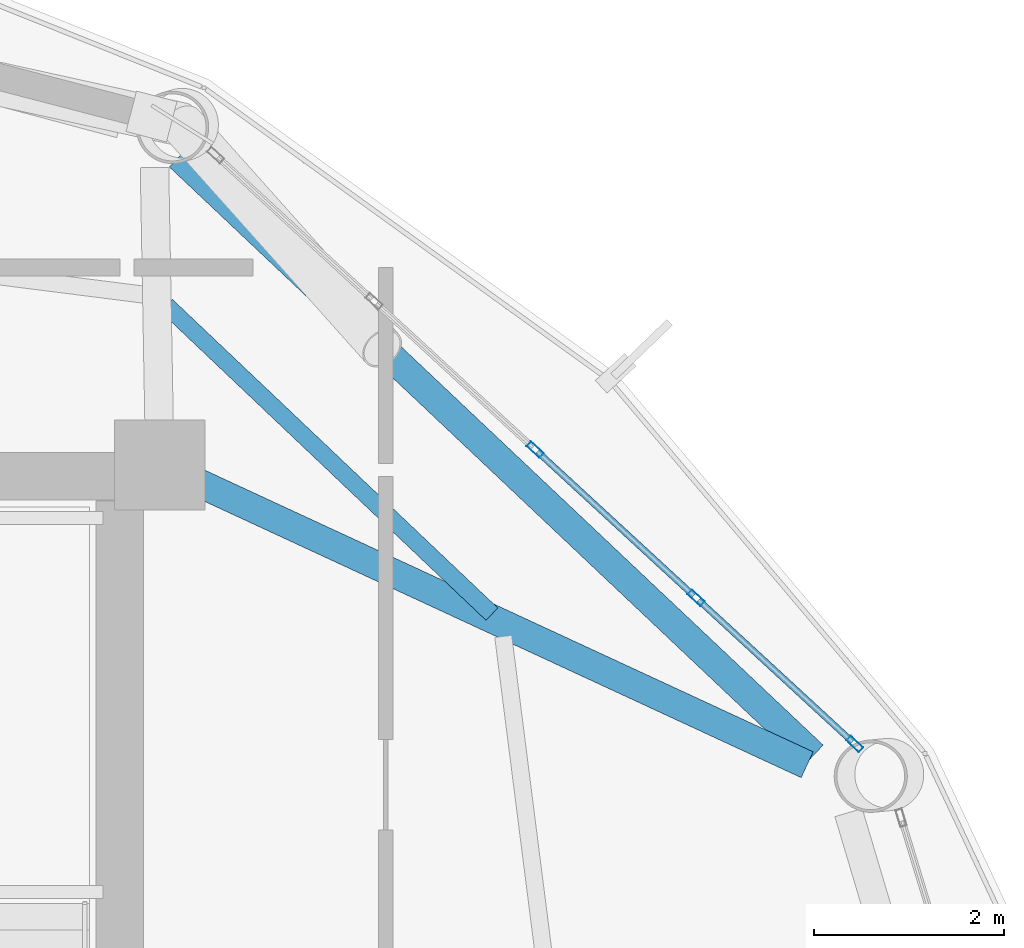
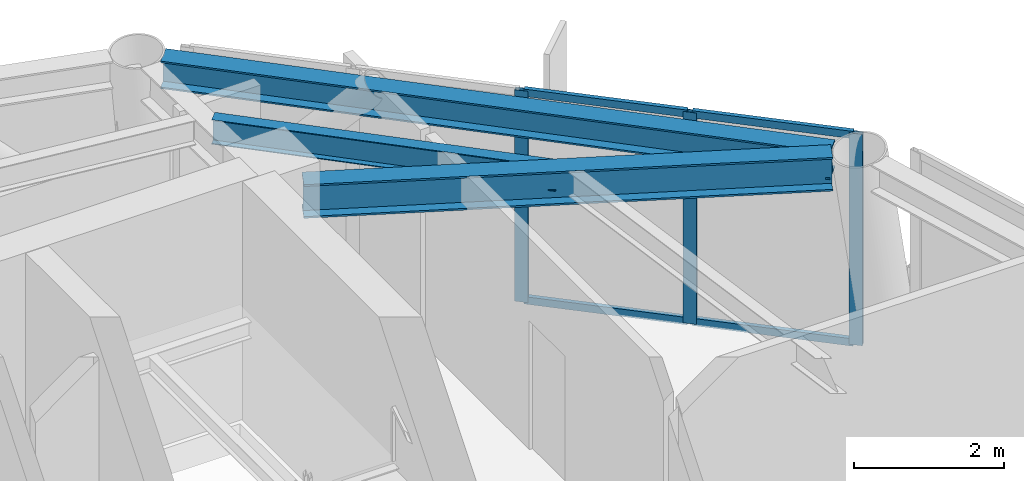
# One storey, part 17 of 26: 7 members, 3 beams, 1 element without a shape of its own.
"""IFC4 building model written with IfcOpenShell, lengths in metres."""

from ifc_helpers import new_model, si_unit, direction, frame, origin, origin_2d, place, context, subcontext, project, spatial, hollow_rectangle, i_section, extrude, material, layer, layer_set, material_profile, profile_set, type_object, element, aggregate, save


model = new_model("IFC4")

# Units and contexts
model_context = context("Model", 3, precision=1e-05, world=origin(), true_north=direction((0.0, 1.0)))
body_context = subcontext(model_context, "Body", "Model", "MODEL_VIEW")
ifc_project = project(units=[si_unit("LENGTHUNIT", "METRE"), si_unit("AREAUNIT", "SQUARE_METRE"), si_unit("VOLUMEUNIT", "CUBIC_METRE"), si_unit("PLANEANGLEUNIT", "RADIAN"), si_unit("MASSUNIT", "GRAM", prefix="KILO")], contexts=[model_context])

# Site, building, storey
site_placement = place(None, origin())
site = spatial("IfcSite", under=ifc_project, at=site_placement, CompositionType="ELEMENT")
building_placement = place(site_placement, origin())
building = spatial("IfcBuilding", under=site, at=building_placement, Name="Varnakorn Sky Granary", CompositionType="ELEMENT")
storey_placement = place(building_placement, frame((0.0, 0.0, 169.5)))
storey = spatial("IfcBuildingStorey", under=building, at=storey_placement, Name="L42", CompositionType="ELEMENT", Elevation=169.5)

# Beams
ifc_material_1 = material(Name="Steel S355JR", Category="steel")
ifc_material_profile_1 = material_profile(ifc_material_1, i_section(OverallWidth=0.300048828125, OverallDepth=0.550048828125, WebThickness=0.014892578125, FlangeThickness=0.029052734375, at=origin_2d()), Name="HE 550 B")
ifc_profile_set_1 = profile_set([ifc_material_profile_1], Name="Steel S355JR")
beam_type_1 = type_object("IfcBeamType", Name="BM-RAD-Z3", PredefinedType="BEAM", material=ifc_profile_set_1)
beam_1_placement = place(storey_placement, frame((8.801025390625, 12.443603515625, 3.175048828125), z_axis=(0.90743314809, -0.420196479931, 0.0), x_axis=(0.420196479931, 0.90743314809, 0.0)))
element("IfcBeam", 1, at=beam_1_placement, inside=storey, type_object=beam_type_1, Name="Radial Floor Girder RG02 L42", PredefinedType="BEAM", context=body_context, shape_type="SweptSolid", body=[
    extrude(i_section(OverallWidth=0.300048828125, OverallDepth=0.550048828125, WebThickness=0.014892578125, FlangeThickness=0.029052734375, at=origin_2d()), origin(), (0.0, 0.0, 1.0), 7.09765625),
])
ifc_material_profile_2 = material_profile(ifc_material_1, i_section(OverallWidth=0.179931640625, OverallDepth=0.39990234375, WebThickness=0.008544921875, FlangeThickness=0.013427734375, at=origin_2d()), Name="IPE 400")
ifc_profile_set_2 = profile_set([ifc_material_profile_2], Name="Steel S355JR")
beam_type_2 = type_object("IfcBeamType", Name="BM-SEC-Z3", PredefinedType="BEAM", material=ifc_profile_set_2)
beam_2_placement = place(storey_placement, frame((11.919921875, 11.048583984375, 3.25), z_axis=(-0.725630964732, 0.688084081361, 0.0), x_axis=(-0.688084081361, -0.725630964732, 0.0)))
element("IfcBeam", 2, at=beam_2_placement, inside=storey, type_object=beam_type_2, Name="Secondary Floor Chord Beam MSB02 L42", PredefinedType="BEAM", context=body_context, shape_type="SweptSolid", body=[
    extrude(i_section(OverallWidth=0.179931640625, OverallDepth=0.39990234375, WebThickness=0.008544921875, FlangeThickness=0.013427734375, at=origin_2d()), origin(), (0.0, 0.0, 1.0), 4.72705078125),
])
ifc_material_profile_3 = material_profile(ifc_material_1, i_section(OverallWidth=0.300048828125, OverallDepth=0.449951171875, WebThickness=0.013916015625, FlangeThickness=0.02587890625, at=origin_2d()), Name="HE 450 B")
ifc_profile_set_3 = profile_set([ifc_material_profile_3], Name="Steel S355JR")
beam_type_3 = type_object("IfcBeamType", Name="BM-SPD-Z3", PredefinedType="SPANDREL", material=ifc_profile_set_3)
beam_3_placement = place(storey_placement, frame((15.3076171875, 9.558837890625, 3.22509765625), z_axis=(-0.727105947404, 0.686525266287, 0.0), x_axis=(-0.686525266287, -0.727105947404, 0.0)))
element("IfcBeam", 3, at=beam_3_placement, inside=storey, type_object=beam_type_3, Name="Perimeter Spandrel Ring Beam RB02 L42", PredefinedType="SPANDREL", context=body_context, shape_type="SweptSolid", body=[
    extrude(i_section(OverallWidth=0.300048828125, OverallDepth=0.449951171875, WebThickness=0.013916015625, FlangeThickness=0.02587890625, at=origin_2d()), origin(), (0.0, 0.0, 1.0), 9.192626953125),
])

# Curtain wall, members
ifc_material_2 = material(Name="Anodised Bronze Aluminium Alloy 6063-T6", Category="aluminium")
ifc_layer = layer(ifc_material_2, 0.179931640625, Name="Anodised Bronze Aluminium Alloy 6063-T6")
ifc_layer_set = layer_set([ifc_layer], Name="Anodised Bronze Aluminium Alloy 6063-T6")
curtain_wall_type = type_object("IfcCurtainWallType", Name="CW-FRM-2", PredefinedType="USERDEFINED", material=ifc_layer_set)
curtain_wall_placement = place(storey_placement, origin())
curtain_wall = element("IfcCurtainWall", 4, at=curtain_wall_placement, inside=storey, type_object=curtain_wall_type, Name="Unitised Curtain Wall CW4 CW-L42-B02", ObjectType="CURTAIN WALL", PredefinedType="USERDEFINED")
ifc_material_profile_4 = material_profile(ifc_material_2, hollow_rectangle(XDim=0.070068359375, YDim=0.18505859375, WallThickness=0.00390625, at=origin_2d()), Name="ALU MULL 70x185")
ifc_profile_set_4 = profile_set([ifc_material_profile_4], Name="Anodised Bronze Aluminium Alloy 6063-T6")
member_type_1 = type_object("IfcMemberType", Name="CW-FRM-2-MULL", PredefinedType="MULLION", material=ifc_profile_set_4)
member_1_placement = place(storey_placement, frame((12.37548828125, 12.78271484375, 0.0), z_axis=(0.0, 0.0, 1.0), x_axis=(0.677547955322, 0.735478598084, 0.0)))
member_1 = element("IfcMember", 5, at=member_1_placement, type_object=member_type_1, Name="CW4 mullion 3", PredefinedType="MULLION", context=body_context, shape_type="SweptSolid", body=[
    extrude(hollow_rectangle(XDim=0.070068359375, YDim=0.18505859375, WallThickness=0.00390625, at=origin_2d()), origin(), (0.0, 0.0, 1.0), 3.449951171875),
])
member_2_placement = place(storey_placement, frame((14.072265625, 11.219482421875, 0.0), z_axis=(0.0, 0.0, 1.0), x_axis=(0.677547955322, 0.735478598084, 0.0)))
member_2 = element("IfcMember", 6, at=member_2_placement, type_object=member_type_1, Name="CW4 mullion 4", PredefinedType="MULLION", context=body_context, shape_type="SweptSolid", body=[
    extrude(hollow_rectangle(XDim=0.070068359375, YDim=0.18505859375, WallThickness=0.00390625, at=origin_2d()), origin(), (0.0, 0.0, 1.0), 3.449951171875),
])
member_3_placement = place(storey_placement, frame((15.7431640625, 9.679931640625, 0.0), z_axis=(0.0, 0.0, 1.0), x_axis=(0.677547955322, 0.735478598084, 0.0)))
member_3 = element("IfcMember", 7, at=member_3_placement, type_object=member_type_1, Name="CW4 mullion 5", PredefinedType="MULLION", context=body_context, shape_type="SweptSolid", body=[
    extrude(hollow_rectangle(XDim=0.070068359375, YDim=0.18505859375, WallThickness=0.00390625, at=origin_2d()), origin(), (0.0, 0.0, 1.0), 3.449951171875),
])
ifc_material_profile_5 = material_profile(ifc_material_2, hollow_rectangle(XDim=0.06494140625, YDim=0.1201171875, WallThickness=0.00341796875, at=origin_2d()), Name="ALU TRAN 65x120")
ifc_profile_set_5 = profile_set([ifc_material_profile_5], Name="Anodised Bronze Aluminium Alloy 6063-T6")
member_type_2 = type_object("IfcMemberType", Name="CW-FRM-2-TRAN", PredefinedType="USERDEFINED", material=ifc_profile_set_5)
member_4_placement = place(storey_placement, frame((12.401123046875, 12.7587890625, 0.032470703125), z_axis=(0.735489285858, -0.677536353555, 0.0), x_axis=(0.677536353555, 0.735489285858, 0.0)))
member_4 = element("IfcMember", 8, at=member_4_placement, type_object=member_type_2, Name="CW4 transom 3.1", ObjectType="TRANSOM", PredefinedType="USERDEFINED", context=body_context, shape_type="SweptSolid", body=[
    extrude(hollow_rectangle(XDim=0.06494140625, YDim=0.1201171875, WallThickness=0.00341796875, at=origin_2d()), origin(), (0.0, 0.0, 1.0), 2.237060546875),
])
member_5_placement = place(storey_placement, frame((12.401123046875, 12.7587890625, 3.41748046875), z_axis=(0.735489285858, -0.677536353555, 0.0), x_axis=(0.677536353555, 0.735489285858, 0.0)))
member_5 = element("IfcMember", 9, at=member_5_placement, type_object=member_type_2, Name="CW4 transom 3.2", ObjectType="TRANSOM", PredefinedType="USERDEFINED", context=body_context, shape_type="SweptSolid", body=[
    extrude(hollow_rectangle(XDim=0.06494140625, YDim=0.1201171875, WallThickness=0.00341796875, at=origin_2d()), origin(), (0.0, 0.0, 1.0), 2.237060546875),
])
member_6_placement = place(storey_placement, frame((14.097900390625, 11.19580078125, 0.032470703125), z_axis=(0.735449148752, -0.67757992119, 0.0), x_axis=(0.67757992119, 0.735449148752, 0.0)))
member_6 = element("IfcMember", 10, at=member_6_placement, type_object=member_type_2, Name="CW4 transom 4.1", ObjectType="TRANSOM", PredefinedType="USERDEFINED", context=body_context, shape_type="SweptSolid", body=[
    extrude(hollow_rectangle(XDim=0.06494140625, YDim=0.1201171875, WallThickness=0.00341796875, at=origin_2d()), origin(), (0.0, 0.0, 1.0), 2.2021484375),
])
member_7_placement = place(storey_placement, frame((14.097900390625, 11.19580078125, 3.41748046875), z_axis=(0.735449148752, -0.67757992119, 0.0), x_axis=(0.67757992119, 0.735449148752, 0.0)))
member_7 = element("IfcMember", 11, at=member_7_placement, type_object=member_type_2, Name="CW4 transom 4.2", ObjectType="TRANSOM", PredefinedType="USERDEFINED", context=body_context, shape_type="SweptSolid", body=[
    extrude(hollow_rectangle(XDim=0.06494140625, YDim=0.1201171875, WallThickness=0.00341796875, at=origin_2d()), origin(), (0.0, 0.0, 1.0), 2.2021484375),
])
aggregate(curtain_wall, [member_1, member_2, member_3, member_4, member_5, member_6, member_7])

save(model, "model.ifc")
